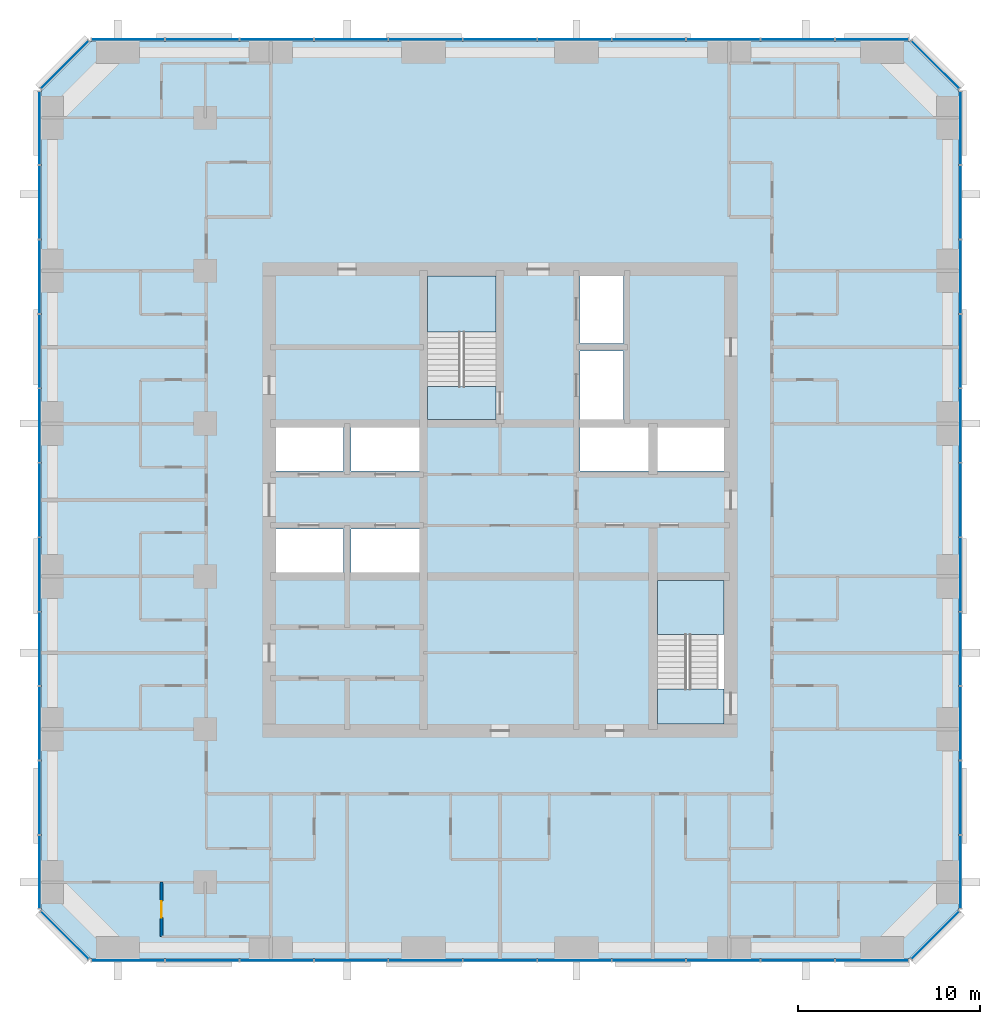
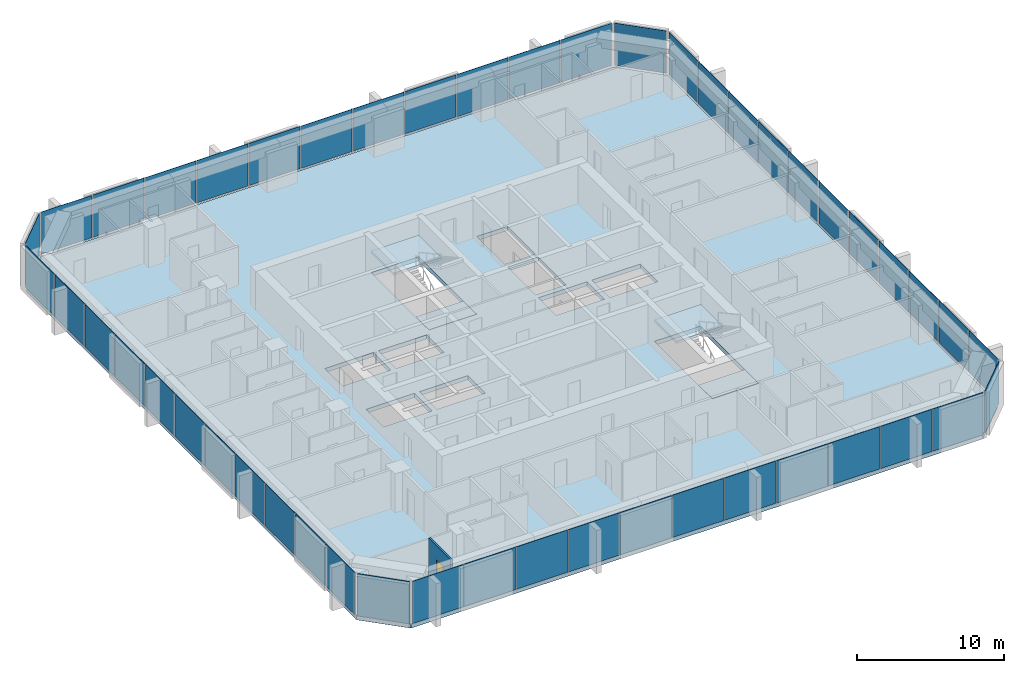
# One storey, part 7 of 13: 48 plates, 5 slabs, 1 door, 1 wall, 1 opening, 10 elements without a shape of their own.
"""IFC4 building model written with IfcOpenShell, lengths in metres."""

from ifc_helpers import new_model, si_unit, direction, frame, frame_2d, origin, origin_2d, place, context, subcontext, project, spatial, polyline, rectangle, outline, extrude, material, layer, layer_set, type_object, element, fill, aggregate, save


model = new_model("IFC4")

# Units and contexts
model_context = context("Model", 3, precision=1e-05, world=origin(), true_north=direction((0.0, 1.0)))
body_context = subcontext(model_context, "Body", "Model", "MODEL_VIEW")
ifc_project = project(units=[si_unit("LENGTHUNIT", "METRE"), si_unit("AREAUNIT", "SQUARE_METRE"), si_unit("VOLUMEUNIT", "CUBIC_METRE"), si_unit("PLANEANGLEUNIT", "RADIAN"), si_unit("MASSUNIT", "GRAM", prefix="KILO")], contexts=[model_context])

# Site, building, storey
site_placement = place(None, origin())
site = spatial("IfcSite", under=ifc_project, at=site_placement, CompositionType="ELEMENT")
building_placement = place(site_placement, origin())
building = spatial("IfcBuilding", under=site, at=building_placement, Name="Dunama Terrace Hotel", CompositionType="ELEMENT")
storey_placement = place(building_placement, frame((0.0, 0.0, 166.199951171875)))
storey = spatial("IfcBuildingStorey", under=building, at=storey_placement, Name="L42", CompositionType="ELEMENT", Elevation=166.199951171875)

# Curtain wall, plates
ifc_material_1 = material(Name="Aluminium curtain wall system", Category="aluminium")
curtain_wall_type = type_object("IfcCurtainWallType", Name="Unitised fritted glass wall CW-C", PredefinedType="NOTDEFINED", material=ifc_material_1)
curtain_wall_1_placement = place(storey_placement, origin())
curtain_wall_1 = element("IfcCurtainWall", 1, at=curtain_wall_1_placement, inside=storey, type_object=curtain_wall_type, Name="Unitised fritted glass wall CW-C L42", PredefinedType="NOTDEFINED")
ifc_material_2 = material(Name="Laminated glass", Category="glass")
ifc_layer_1 = layer(ifc_material_2, 0.031982421875)
ifc_layer_set_1 = layer_set([ifc_layer_1], Name="CWC clear glass panel")
plate_type_1 = type_object("IfcPlateType", Name="CWC clear glass panel", PredefinedType="CURTAIN_PANEL", material=ifc_layer_set_1)
plate_1_placement = place(storey_placement, frame((8.962890625, 4.10009765625, 0.080078125), z_axis=(0.0, 0.0, 1.0), x_axis=(1.0, 0.0, 0.0)))
plate_1 = element("IfcPlate", 2, at=plate_1_placement, type_object=plate_type_1, Name="CWC clear glass panel", PredefinedType="CURTAIN_PANEL", context=body_context, shape_type="SweptSolid", body=[
    extrude(rectangle(XDim=3.98583984375, YDim=0.031982421875, at=origin_2d()), origin(), (0.0, 0.0, 1.0), 3.52001953125),
])
plate_2_placement = place(storey_placement, frame((21.218017578125, 4.10009765625, 0.080078125), z_axis=(0.0, 0.0, 1.0), x_axis=(1.0, 0.0, 0.0)))
plate_2 = element("IfcPlate", 3, at=plate_2_placement, type_object=plate_type_1, Name="CWC clear glass panel", PredefinedType="CURTAIN_PANEL", context=body_context, shape_type="SweptSolid", body=[
    extrude(rectangle(XDim=4.02099609375, YDim=0.031982421875, at=origin_2d()), origin(), (0.0, 0.0, 1.0), 3.52001953125),
])
plate_3_placement = place(storey_placement, frame((33.490966796875, 4.10009765625, 0.080078125), z_axis=(0.0, 0.0, 1.0), x_axis=(1.0, 0.0, 0.0)))
plate_3 = element("IfcPlate", 4, at=plate_3_placement, type_object=plate_type_1, Name="CWC clear glass panel", PredefinedType="CURTAIN_PANEL", context=body_context, shape_type="SweptSolid", body=[
    extrude(rectangle(XDim=4.02099609375, YDim=0.031982421875, at=origin_2d()), origin(), (0.0, 0.0, 1.0), 3.52001953125),
])
plate_4_placement = place(storey_placement, frame((45.763916015625, 4.10009765625, 0.080078125), z_axis=(0.0, 0.0, 1.0), x_axis=(1.0, 0.0, 0.0)))
plate_4 = element("IfcPlate", 5, at=plate_4_placement, type_object=plate_type_1, Name="CWC clear glass panel", PredefinedType="CURTAIN_PANEL", context=body_context, shape_type="SweptSolid", body=[
    extrude(rectangle(XDim=4.02099609375, YDim=0.031982421875, at=origin_2d()), origin(), (0.0, 0.0, 1.0), 3.52001953125),
])

curtain_wall_2_placement = place(storey_placement, origin())
curtain_wall_2 = element("IfcCurtainWall", 6, at=curtain_wall_2_placement, inside=storey, type_object=curtain_wall_type, Name="Unitised fritted glass wall CW-C L42", PredefinedType="NOTDEFINED")
plate_5_placement = place(storey_placement, frame((54.699951171875, 8.962890625, 0.080078125), z_axis=(0.0, 0.0, 1.0), x_axis=(0.0, 1.0, 0.0)))
plate_5 = element("IfcPlate", 7, at=plate_5_placement, type_object=plate_type_1, Name="CWC clear glass panel", PredefinedType="CURTAIN_PANEL", context=body_context, shape_type="SweptSolid", body=[
    extrude(rectangle(XDim=3.98583984375, YDim=0.031982421875, at=origin_2d()), origin(), (0.0, 0.0, 1.0), 3.52001953125),
])
plate_6_placement = place(storey_placement, frame((54.699951171875, 21.218017578125, 0.080078125), z_axis=(0.0, 0.0, 1.0), x_axis=(0.0, 1.0, 0.0)))
plate_6 = element("IfcPlate", 8, at=plate_6_placement, type_object=plate_type_1, Name="CWC clear glass panel", PredefinedType="CURTAIN_PANEL", context=body_context, shape_type="SweptSolid", body=[
    extrude(rectangle(XDim=4.02099609375, YDim=0.031982421875, at=origin_2d()), origin(), (0.0, 0.0, 1.0), 3.52001953125),
])
plate_7_placement = place(storey_placement, frame((54.699951171875, 33.490966796875, 0.080078125), z_axis=(0.0, 0.0, 1.0), x_axis=(0.0, 1.0, 0.0)))
plate_7 = element("IfcPlate", 9, at=plate_7_placement, type_object=plate_type_1, Name="CWC clear glass panel", PredefinedType="CURTAIN_PANEL", context=body_context, shape_type="SweptSolid", body=[
    extrude(rectangle(XDim=4.02099609375, YDim=0.031982421875, at=origin_2d()), origin(), (0.0, 0.0, 1.0), 3.52001953125),
])
plate_8_placement = place(storey_placement, frame((54.699951171875, 45.763916015625, 0.080078125), z_axis=(0.0, 0.0, 1.0), x_axis=(0.0, 1.0, 0.0)))
plate_8 = element("IfcPlate", 10, at=plate_8_placement, type_object=plate_type_1, Name="CWC clear glass panel", PredefinedType="CURTAIN_PANEL", context=body_context, shape_type="SweptSolid", body=[
    extrude(rectangle(XDim=4.02099609375, YDim=0.031982421875, at=origin_2d()), origin(), (0.0, 0.0, 1.0), 3.52001953125),
])

curtain_wall_3_placement = place(storey_placement, origin())
curtain_wall_3 = element("IfcCurtainWall", 11, at=curtain_wall_3_placement, inside=storey, type_object=curtain_wall_type, Name="Unitised fritted glass wall CW-C L42", PredefinedType="NOTDEFINED")
plate_9_placement = place(storey_placement, frame((49.8369140625, 54.699951171875, 0.080078125), z_axis=(0.0, 0.0, 1.0), x_axis=(-1.0, 0.0, 0.0)))
plate_9 = element("IfcPlate", 12, at=plate_9_placement, type_object=plate_type_1, Name="CWC clear glass panel", PredefinedType="CURTAIN_PANEL", context=body_context, shape_type="SweptSolid", body=[
    extrude(rectangle(XDim=3.98583984375, YDim=0.031982421875, at=origin_2d()), origin(), (0.0, 0.0, 1.0), 3.52001953125),
])
plate_10_placement = place(storey_placement, frame((37.58203125, 54.699951171875, 0.080078125), z_axis=(0.0, 0.0, 1.0), x_axis=(-1.0, 0.0, 0.0)))
plate_10 = element("IfcPlate", 13, at=plate_10_placement, type_object=plate_type_1, Name="CWC clear glass panel", PredefinedType="CURTAIN_PANEL", context=body_context, shape_type="SweptSolid", body=[
    extrude(rectangle(XDim=4.02099609375, YDim=0.031982421875, at=origin_2d()), origin(), (0.0, 0.0, 1.0), 3.52001953125),
])
plate_11_placement = place(storey_placement, frame((25.30908203125, 54.699951171875, 0.080078125), z_axis=(0.0, 0.0, 1.0), x_axis=(-1.0, 0.0, 0.0)))
plate_11 = element("IfcPlate", 14, at=plate_11_placement, type_object=plate_type_1, Name="CWC clear glass panel", PredefinedType="CURTAIN_PANEL", context=body_context, shape_type="SweptSolid", body=[
    extrude(rectangle(XDim=4.02099609375, YDim=0.031982421875, at=origin_2d()), origin(), (0.0, 0.0, 1.0), 3.52001953125),
])
plate_12_placement = place(storey_placement, frame((13.035888671875, 54.699951171875, 0.080078125), z_axis=(0.0, 0.0, 1.0), x_axis=(-1.0, 0.0, 0.0)))
plate_12 = element("IfcPlate", 15, at=plate_12_placement, type_object=plate_type_1, Name="CWC clear glass panel", PredefinedType="CURTAIN_PANEL", context=body_context, shape_type="SweptSolid", body=[
    extrude(rectangle(XDim=4.02099609375, YDim=0.031982421875, at=origin_2d()), origin(), (0.0, 0.0, 1.0), 3.52001953125),
])

curtain_wall_4_placement = place(storey_placement, origin())
curtain_wall_4 = element("IfcCurtainWall", 16, at=curtain_wall_4_placement, inside=storey, type_object=curtain_wall_type, Name="Unitised fritted glass wall CW-C L42", PredefinedType="NOTDEFINED")
plate_13_placement = place(storey_placement, frame((4.10009765625, 49.8369140625, 0.080078125), z_axis=(0.0, 0.0, 1.0), x_axis=(0.0, -1.0, 0.0)))
plate_13 = element("IfcPlate", 17, at=plate_13_placement, type_object=plate_type_1, Name="CWC clear glass panel", PredefinedType="CURTAIN_PANEL", context=body_context, shape_type="SweptSolid", body=[
    extrude(rectangle(XDim=3.98583984375, YDim=0.031982421875, at=origin_2d()), origin(), (0.0, 0.0, 1.0), 3.52001953125),
])
plate_14_placement = place(storey_placement, frame((4.10009765625, 37.58203125, 0.080078125), z_axis=(0.0, 0.0, 1.0), x_axis=(0.0, -1.0, 0.0)))
plate_14 = element("IfcPlate", 18, at=plate_14_placement, type_object=plate_type_1, Name="CWC clear glass panel", PredefinedType="CURTAIN_PANEL", context=body_context, shape_type="SweptSolid", body=[
    extrude(rectangle(XDim=4.02099609375, YDim=0.031982421875, at=origin_2d()), origin(), (0.0, 0.0, 1.0), 3.52001953125),
])
plate_15_placement = place(storey_placement, frame((4.10009765625, 25.30908203125, 0.080078125), z_axis=(0.0, 0.0, 1.0), x_axis=(0.0, -1.0, 0.0)))
plate_15 = element("IfcPlate", 19, at=plate_15_placement, type_object=plate_type_1, Name="CWC clear glass panel", PredefinedType="CURTAIN_PANEL", context=body_context, shape_type="SweptSolid", body=[
    extrude(rectangle(XDim=4.02099609375, YDim=0.031982421875, at=origin_2d()), origin(), (0.0, 0.0, 1.0), 3.52001953125),
])
plate_16_placement = place(storey_placement, frame((4.10009765625, 13.035888671875, 0.080078125), z_axis=(0.0, 0.0, 1.0), x_axis=(0.0, -1.0, 0.0)))
plate_16 = element("IfcPlate", 20, at=plate_16_placement, type_object=plate_type_1, Name="CWC clear glass panel", PredefinedType="CURTAIN_PANEL", context=body_context, shape_type="SweptSolid", body=[
    extrude(rectangle(XDim=4.02099609375, YDim=0.031982421875, at=origin_2d()), origin(), (0.0, 0.0, 1.0), 3.52001953125),
])

# Plate
ifc_material_3 = material(Name="Fritted laminated glass", Category="glass")
ifc_layer_2 = layer(ifc_material_3, 0.031982421875)
ifc_layer_set_2 = layer_set([ifc_layer_2], Name="CWC fritted glass panel")
plate_type_2 = type_object("IfcPlateType", Name="CWC fritted glass panel", PredefinedType="CURTAIN_PANEL", material=ifc_layer_set_2)
plate_17_placement = place(storey_placement, frame((17.126953125, 4.10009765625, 0.080078125), z_axis=(0.0, 0.0, 1.0), x_axis=(1.0, 0.0, 0.0)))
plate_17 = element("IfcPlate", 21, at=plate_17_placement, type_object=plate_type_2, Name="CWC fritted glass panel", PredefinedType="CURTAIN_PANEL", context=body_context, shape_type="SweptSolid", body=[
    extrude(rectangle(XDim=4.02099609375, YDim=0.031982421875, at=origin_2d()), origin(), (0.0, 0.0, 1.0), 3.52001953125),
])

plate_18_placement = place(storey_placement, frame((29.39990234375, 4.10009765625, 0.080078125), z_axis=(0.0, 0.0, 1.0), x_axis=(1.0, 0.0, 0.0)))
plate_18 = element("IfcPlate", 22, at=plate_18_placement, type_object=plate_type_2, Name="CWC fritted glass panel", PredefinedType="CURTAIN_PANEL", context=body_context, shape_type="SweptSolid", body=[
    extrude(rectangle(XDim=4.02099609375, YDim=0.031982421875, at=origin_2d()), origin(), (0.0, 0.0, 1.0), 3.52001953125),
])

plate_19_placement = place(storey_placement, frame((41.673095703125, 4.10009765625, 0.080078125), z_axis=(0.0, 0.0, 1.0), x_axis=(1.0, 0.0, 0.0)))
plate_19 = element("IfcPlate", 23, at=plate_19_placement, type_object=plate_type_2, Name="CWC fritted glass panel", PredefinedType="CURTAIN_PANEL", context=body_context, shape_type="SweptSolid", body=[
    extrude(rectangle(XDim=4.02099609375, YDim=0.031982421875, at=origin_2d()), origin(), (0.0, 0.0, 1.0), 3.52001953125),
])

# Curtain wall, plate
curtain_wall_5_placement = place(storey_placement, origin())
curtain_wall_5 = element("IfcCurtainWall", 24, at=curtain_wall_5_placement, inside=storey, type_object=curtain_wall_type, Name="Unitised fritted glass wall CW-C L42", PredefinedType="NOTDEFINED")
plate_20_placement = place(storey_placement, frame((53.321044921875, 5.47900390625, 0.080078125), z_axis=(0.0, 0.0, 1.0), x_axis=(0.707106781187, 0.707106781187, 0.0)))
plate_20 = element("IfcPlate", 25, at=plate_20_placement, type_object=plate_type_2, Name="CWC fritted glass panel", PredefinedType="CURTAIN_PANEL", context=body_context, shape_type="SweptSolid", body=[
    extrude(rectangle(XDim=3.678466796875, YDim=0.031982421875, at=origin_2d()), origin(), (0.0, 0.0, 1.0), 3.52001953125),
])
aggregate(curtain_wall_5, [plate_20])

# Plate
plate_21_placement = place(storey_placement, frame((54.699951171875, 17.126953125, 0.080078125), z_axis=(0.0, 0.0, 1.0), x_axis=(0.0, 1.0, 0.0)))
plate_21 = element("IfcPlate", 26, at=plate_21_placement, type_object=plate_type_2, Name="CWC fritted glass panel", PredefinedType="CURTAIN_PANEL", context=body_context, shape_type="SweptSolid", body=[
    extrude(rectangle(XDim=4.02099609375, YDim=0.031982421875, at=origin_2d()), origin(), (0.0, 0.0, 1.0), 3.52001953125),
])

plate_22_placement = place(storey_placement, frame((54.699951171875, 29.39990234375, 0.080078125), z_axis=(0.0, 0.0, 1.0), x_axis=(0.0, 1.0, 0.0)))
plate_22 = element("IfcPlate", 27, at=plate_22_placement, type_object=plate_type_2, Name="CWC fritted glass panel", PredefinedType="CURTAIN_PANEL", context=body_context, shape_type="SweptSolid", body=[
    extrude(rectangle(XDim=4.02099609375, YDim=0.031982421875, at=origin_2d()), origin(), (0.0, 0.0, 1.0), 3.52001953125),
])

plate_23_placement = place(storey_placement, frame((54.699951171875, 41.673095703125, 0.080078125), z_axis=(0.0, 0.0, 1.0), x_axis=(0.0, 1.0, 0.0)))
plate_23 = element("IfcPlate", 28, at=plate_23_placement, type_object=plate_type_2, Name="CWC fritted glass panel", PredefinedType="CURTAIN_PANEL", context=body_context, shape_type="SweptSolid", body=[
    extrude(rectangle(XDim=4.02099609375, YDim=0.031982421875, at=origin_2d()), origin(), (0.0, 0.0, 1.0), 3.52001953125),
])

# Curtain wall, plate
curtain_wall_6_placement = place(storey_placement, origin())
curtain_wall_6 = element("IfcCurtainWall", 29, at=curtain_wall_6_placement, inside=storey, type_object=curtain_wall_type, Name="Unitised fritted glass wall CW-C L42", PredefinedType="NOTDEFINED")
plate_24_placement = place(storey_placement, frame((53.321044921875, 53.321044921875, 0.080078125), z_axis=(0.0, 0.0, 1.0), x_axis=(-0.707106781187, 0.707106781187, 0.0)))
plate_24 = element("IfcPlate", 30, at=plate_24_placement, type_object=plate_type_2, Name="CWC fritted glass panel", PredefinedType="CURTAIN_PANEL", context=body_context, shape_type="SweptSolid", body=[
    extrude(rectangle(XDim=3.678466796875, YDim=0.031982421875, at=origin_2d()), origin(), (0.0, 0.0, 1.0), 3.52001953125),
])
aggregate(curtain_wall_6, [plate_24])

# Plate
plate_25_placement = place(storey_placement, frame((41.673095703125, 54.699951171875, 0.080078125), z_axis=(0.0, 0.0, 1.0), x_axis=(-1.0, 0.0, 0.0)))
plate_25 = element("IfcPlate", 31, at=plate_25_placement, type_object=plate_type_2, Name="CWC fritted glass panel", PredefinedType="CURTAIN_PANEL", context=body_context, shape_type="SweptSolid", body=[
    extrude(rectangle(XDim=4.02099609375, YDim=0.031982421875, at=origin_2d()), origin(), (0.0, 0.0, 1.0), 3.52001953125),
])

plate_26_placement = place(storey_placement, frame((29.39990234375, 54.699951171875, 0.080078125), z_axis=(0.0, 0.0, 1.0), x_axis=(-1.0, 0.0, 0.0)))
plate_26 = element("IfcPlate", 32, at=plate_26_placement, type_object=plate_type_2, Name="CWC fritted glass panel", PredefinedType="CURTAIN_PANEL", context=body_context, shape_type="SweptSolid", body=[
    extrude(rectangle(XDim=4.02099609375, YDim=0.031982421875, at=origin_2d()), origin(), (0.0, 0.0, 1.0), 3.52001953125),
])

plate_27_placement = place(storey_placement, frame((17.126953125, 54.699951171875, 0.080078125), z_axis=(0.0, 0.0, 1.0), x_axis=(-1.0, 0.0, 0.0)))
plate_27 = element("IfcPlate", 33, at=plate_27_placement, type_object=plate_type_2, Name="CWC fritted glass panel", PredefinedType="CURTAIN_PANEL", context=body_context, shape_type="SweptSolid", body=[
    extrude(rectangle(XDim=4.02099609375, YDim=0.031982421875, at=origin_2d()), origin(), (0.0, 0.0, 1.0), 3.52001953125),
])

# Curtain wall, plate
curtain_wall_7_placement = place(storey_placement, origin())
curtain_wall_7 = element("IfcCurtainWall", 34, at=curtain_wall_7_placement, inside=storey, type_object=curtain_wall_type, Name="Unitised fritted glass wall CW-C L42", PredefinedType="NOTDEFINED")
plate_28_placement = place(storey_placement, frame((5.47900390625, 53.321044921875, 0.080078125), z_axis=(0.0, 0.0, 1.0), x_axis=(-0.707106781187, -0.707106781187, 0.0)))
plate_28 = element("IfcPlate", 35, at=plate_28_placement, type_object=plate_type_2, Name="CWC fritted glass panel", PredefinedType="CURTAIN_PANEL", context=body_context, shape_type="SweptSolid", body=[
    extrude(rectangle(XDim=3.678466796875, YDim=0.031982421875, at=origin_2d()), origin(), (0.0, 0.0, 1.0), 3.52001953125),
])
aggregate(curtain_wall_7, [plate_28])

# Plate
plate_29_placement = place(storey_placement, frame((4.10009765625, 41.673095703125, 0.080078125), z_axis=(0.0, 0.0, 1.0), x_axis=(0.0, -1.0, 0.0)))
plate_29 = element("IfcPlate", 36, at=plate_29_placement, type_object=plate_type_2, Name="CWC fritted glass panel", PredefinedType="CURTAIN_PANEL", context=body_context, shape_type="SweptSolid", body=[
    extrude(rectangle(XDim=4.02099609375, YDim=0.031982421875, at=origin_2d()), origin(), (0.0, 0.0, 1.0), 3.52001953125),
])

plate_30_placement = place(storey_placement, frame((4.10009765625, 29.39990234375, 0.080078125), z_axis=(0.0, 0.0, 1.0), x_axis=(0.0, -1.0, 0.0)))
plate_30 = element("IfcPlate", 37, at=plate_30_placement, type_object=plate_type_2, Name="CWC fritted glass panel", PredefinedType="CURTAIN_PANEL", context=body_context, shape_type="SweptSolid", body=[
    extrude(rectangle(XDim=4.02099609375, YDim=0.031982421875, at=origin_2d()), origin(), (0.0, 0.0, 1.0), 3.52001953125),
])

plate_31_placement = place(storey_placement, frame((4.10009765625, 17.126953125, 0.080078125), z_axis=(0.0, 0.0, 1.0), x_axis=(0.0, -1.0, 0.0)))
plate_31 = element("IfcPlate", 38, at=plate_31_placement, type_object=plate_type_2, Name="CWC fritted glass panel", PredefinedType="CURTAIN_PANEL", context=body_context, shape_type="SweptSolid", body=[
    extrude(rectangle(XDim=4.02099609375, YDim=0.031982421875, at=origin_2d()), origin(), (0.0, 0.0, 1.0), 3.52001953125),
])

# Curtain wall, plate
curtain_wall_8_placement = place(storey_placement, origin())
curtain_wall_8 = element("IfcCurtainWall", 39, at=curtain_wall_8_placement, inside=storey, type_object=curtain_wall_type, Name="Unitised fritted glass wall CW-C L42", PredefinedType="NOTDEFINED")
plate_32_placement = place(storey_placement, frame((5.47900390625, 5.47900390625, 0.080078125), z_axis=(0.0, 0.0, 1.0), x_axis=(0.707106781187, -0.707106781187, 0.0)))
plate_32 = element("IfcPlate", 40, at=plate_32_placement, type_object=plate_type_2, Name="CWC fritted glass panel", PredefinedType="CURTAIN_PANEL", context=body_context, shape_type="SweptSolid", body=[
    extrude(rectangle(XDim=3.678466796875, YDim=0.031982421875, at=origin_2d()), origin(), (0.0, 0.0, 1.0), 3.52001953125),
])
aggregate(curtain_wall_8, [plate_32])

# Plate
ifc_material_4 = material(Name="Laminated glass", Category="glass")
ifc_layer_3 = layer(ifc_material_4, 0.031982421875)
ifc_layer_set_3 = layer_set([ifc_layer_3], Name="CWC operable glass panel")
plate_type_3 = type_object("IfcPlateType", Name="CWC operable glass panel", PredefinedType="CURTAIN_PANEL", material=ifc_layer_set_3)
plate_33_placement = place(storey_placement, frame((13.035888671875, 4.10009765625, 0.080078125), z_axis=(0.0, 0.0, 1.0), x_axis=(1.0, 0.0, 0.0)))
plate_33 = element("IfcPlate", 41, at=plate_33_placement, type_object=plate_type_3, Name="CWC operable glass panel", PredefinedType="CURTAIN_PANEL", context=body_context, shape_type="SweptSolid", body=[
    extrude(rectangle(XDim=4.02099609375, YDim=0.031982421875, at=origin_2d()), origin(), (0.0, 0.0, 1.0), 3.52001953125),
])

plate_34_placement = place(storey_placement, frame((25.30908203125, 4.10009765625, 0.080078125), z_axis=(0.0, 0.0, 1.0), x_axis=(1.0, 0.0, 0.0)))
plate_34 = element("IfcPlate", 42, at=plate_34_placement, type_object=plate_type_3, Name="CWC operable glass panel", PredefinedType="CURTAIN_PANEL", context=body_context, shape_type="SweptSolid", body=[
    extrude(rectangle(XDim=4.02099609375, YDim=0.031982421875, at=origin_2d()), origin(), (0.0, 0.0, 1.0), 3.52001953125),
])

plate_35_placement = place(storey_placement, frame((37.58203125, 4.10009765625, 0.080078125), z_axis=(0.0, 0.0, 1.0), x_axis=(1.0, 0.0, 0.0)))
plate_35 = element("IfcPlate", 43, at=plate_35_placement, type_object=plate_type_3, Name="CWC operable glass panel", PredefinedType="CURTAIN_PANEL", context=body_context, shape_type="SweptSolid", body=[
    extrude(rectangle(XDim=4.02099609375, YDim=0.031982421875, at=origin_2d()), origin(), (0.0, 0.0, 1.0), 3.52001953125),
])

plate_36_placement = place(storey_placement, frame((49.8369140625, 4.10009765625, 0.080078125), z_axis=(0.0, 0.0, 1.0), x_axis=(1.0, 0.0, 0.0)))
plate_36 = element("IfcPlate", 44, at=plate_36_placement, type_object=plate_type_3, Name="CWC operable glass panel", PredefinedType="CURTAIN_PANEL", context=body_context, shape_type="SweptSolid", body=[
    extrude(rectangle(XDim=3.98583984375, YDim=0.031982421875, at=origin_2d()), origin(), (0.0, 0.0, 1.0), 3.52001953125),
])

aggregate(curtain_wall_1, [plate_1, plate_33, plate_17, plate_2, plate_34, plate_18, plate_3, plate_35, plate_19, plate_4, plate_36])

plate_37_placement = place(storey_placement, frame((54.699951171875, 13.035888671875, 0.080078125), z_axis=(0.0, 0.0, 1.0), x_axis=(0.0, 1.0, 0.0)))
plate_37 = element("IfcPlate", 45, at=plate_37_placement, type_object=plate_type_3, Name="CWC operable glass panel", PredefinedType="CURTAIN_PANEL", context=body_context, shape_type="SweptSolid", body=[
    extrude(rectangle(XDim=4.02099609375, YDim=0.031982421875, at=origin_2d()), origin(), (0.0, 0.0, 1.0), 3.52001953125),
])

plate_38_placement = place(storey_placement, frame((54.699951171875, 25.30908203125, 0.080078125), z_axis=(0.0, 0.0, 1.0), x_axis=(0.0, 1.0, 0.0)))
plate_38 = element("IfcPlate", 46, at=plate_38_placement, type_object=plate_type_3, Name="CWC operable glass panel", PredefinedType="CURTAIN_PANEL", context=body_context, shape_type="SweptSolid", body=[
    extrude(rectangle(XDim=4.02099609375, YDim=0.031982421875, at=origin_2d()), origin(), (0.0, 0.0, 1.0), 3.52001953125),
])

plate_39_placement = place(storey_placement, frame((54.699951171875, 37.58203125, 0.080078125), z_axis=(0.0, 0.0, 1.0), x_axis=(0.0, 1.0, 0.0)))
plate_39 = element("IfcPlate", 47, at=plate_39_placement, type_object=plate_type_3, Name="CWC operable glass panel", PredefinedType="CURTAIN_PANEL", context=body_context, shape_type="SweptSolid", body=[
    extrude(rectangle(XDim=4.02099609375, YDim=0.031982421875, at=origin_2d()), origin(), (0.0, 0.0, 1.0), 3.52001953125),
])

plate_40_placement = place(storey_placement, frame((54.699951171875, 49.8369140625, 0.080078125), z_axis=(0.0, 0.0, 1.0), x_axis=(0.0, 1.0, 0.0)))
plate_40 = element("IfcPlate", 48, at=plate_40_placement, type_object=plate_type_3, Name="CWC operable glass panel", PredefinedType="CURTAIN_PANEL", context=body_context, shape_type="SweptSolid", body=[
    extrude(rectangle(XDim=3.98583984375, YDim=0.031982421875, at=origin_2d()), origin(), (0.0, 0.0, 1.0), 3.52001953125),
])

aggregate(curtain_wall_2, [plate_5, plate_37, plate_21, plate_6, plate_38, plate_22, plate_7, plate_39, plate_23, plate_8, plate_40])

plate_41_placement = place(storey_placement, frame((45.763916015625, 54.699951171875, 0.080078125), z_axis=(0.0, 0.0, 1.0), x_axis=(-1.0, 0.0, 0.0)))
plate_41 = element("IfcPlate", 49, at=plate_41_placement, type_object=plate_type_3, Name="CWC operable glass panel", PredefinedType="CURTAIN_PANEL", context=body_context, shape_type="SweptSolid", body=[
    extrude(rectangle(XDim=4.02099609375, YDim=0.031982421875, at=origin_2d()), origin(), (0.0, 0.0, 1.0), 3.52001953125),
])

plate_42_placement = place(storey_placement, frame((33.490966796875, 54.699951171875, 0.080078125), z_axis=(0.0, 0.0, 1.0), x_axis=(-1.0, 0.0, 0.0)))
plate_42 = element("IfcPlate", 50, at=plate_42_placement, type_object=plate_type_3, Name="CWC operable glass panel", PredefinedType="CURTAIN_PANEL", context=body_context, shape_type="SweptSolid", body=[
    extrude(rectangle(XDim=4.02099609375, YDim=0.031982421875, at=origin_2d()), origin(), (0.0, 0.0, 1.0), 3.52001953125),
])

plate_43_placement = place(storey_placement, frame((21.218017578125, 54.699951171875, 0.080078125), z_axis=(0.0, 0.0, 1.0), x_axis=(-1.0, 0.0, 0.0)))
plate_43 = element("IfcPlate", 51, at=plate_43_placement, type_object=plate_type_3, Name="CWC operable glass panel", PredefinedType="CURTAIN_PANEL", context=body_context, shape_type="SweptSolid", body=[
    extrude(rectangle(XDim=4.02099609375, YDim=0.031982421875, at=origin_2d()), origin(), (0.0, 0.0, 1.0), 3.52001953125),
])

plate_44_placement = place(storey_placement, frame((8.962890625, 54.699951171875, 0.080078125), z_axis=(0.0, 0.0, 1.0), x_axis=(-1.0, 0.0, 0.0)))
plate_44 = element("IfcPlate", 52, at=plate_44_placement, type_object=plate_type_3, Name="CWC operable glass panel", PredefinedType="CURTAIN_PANEL", context=body_context, shape_type="SweptSolid", body=[
    extrude(rectangle(XDim=3.98583984375, YDim=0.031982421875, at=origin_2d()), origin(), (0.0, 0.0, 1.0), 3.52001953125),
])

aggregate(curtain_wall_3, [plate_9, plate_41, plate_25, plate_10, plate_42, plate_26, plate_11, plate_43, plate_27, plate_12, plate_44])

plate_45_placement = place(storey_placement, frame((4.10009765625, 45.763916015625, 0.080078125), z_axis=(0.0, 0.0, 1.0), x_axis=(0.0, -1.0, 0.0)))
plate_45 = element("IfcPlate", 53, at=plate_45_placement, type_object=plate_type_3, Name="CWC operable glass panel", PredefinedType="CURTAIN_PANEL", context=body_context, shape_type="SweptSolid", body=[
    extrude(rectangle(XDim=4.02099609375, YDim=0.031982421875, at=origin_2d()), origin(), (0.0, 0.0, 1.0), 3.52001953125),
])

plate_46_placement = place(storey_placement, frame((4.10009765625, 33.490966796875, 0.080078125), z_axis=(0.0, 0.0, 1.0), x_axis=(0.0, -1.0, 0.0)))
plate_46 = element("IfcPlate", 54, at=plate_46_placement, type_object=plate_type_3, Name="CWC operable glass panel", PredefinedType="CURTAIN_PANEL", context=body_context, shape_type="SweptSolid", body=[
    extrude(rectangle(XDim=4.02099609375, YDim=0.031982421875, at=origin_2d()), origin(), (0.0, 0.0, 1.0), 3.52001953125),
])

plate_47_placement = place(storey_placement, frame((4.10009765625, 21.218017578125, 0.080078125), z_axis=(0.0, 0.0, 1.0), x_axis=(0.0, -1.0, 0.0)))
plate_47 = element("IfcPlate", 55, at=plate_47_placement, type_object=plate_type_3, Name="CWC operable glass panel", PredefinedType="CURTAIN_PANEL", context=body_context, shape_type="SweptSolid", body=[
    extrude(rectangle(XDim=4.02099609375, YDim=0.031982421875, at=origin_2d()), origin(), (0.0, 0.0, 1.0), 3.52001953125),
])

plate_48_placement = place(storey_placement, frame((4.10009765625, 8.962890625, 0.080078125), z_axis=(0.0, 0.0, 1.0), x_axis=(0.0, -1.0, 0.0)))
plate_48 = element("IfcPlate", 56, at=plate_48_placement, type_object=plate_type_3, Name="CWC operable glass panel", PredefinedType="CURTAIN_PANEL", context=body_context, shape_type="SweptSolid", body=[
    extrude(rectangle(XDim=3.98583984375, YDim=0.031982421875, at=origin_2d()), origin(), (0.0, 0.0, 1.0), 3.52001953125),
])

aggregate(curtain_wall_4, [plate_13, plate_45, plate_29, plate_14, plate_46, plate_30, plate_15, plate_47, plate_31, plate_16, plate_48])

# Slab
ifc_material_5 = material(Name="Concrete C40/50", Category="concrete")
ifc_layer_4 = layer(ifc_material_5, 0.35009765625)
ifc_layer_set_4 = layer_set([ifc_layer_4], Name="Flat plate 350")
slab_type_1 = type_object("IfcSlabType", Name="Flat plate 350", PredefinedType="FLOOR", material=ifc_layer_set_4)
slab_1_placement = place(storey_placement, frame((0.0, 0.0, -0.349853515625)))
element("IfcSlab", 57, at=slab_1_placement, inside=storey, type_object=slab_type_1, Name="Floor slab L42", PredefinedType="FLOOR", context=body_context, shape_type="SweptSolid", body=[
    extrude(outline(polyline([(6.89990234375, 4.199951171875), (51.89990234375, 4.199951171875), (54.60009765625, 6.89990234375), (54.60009765625, 51.89990234375), (51.89990234375, 54.60009765625), (6.89990234375, 54.60009765625), (4.199951171875, 51.89990234375), (4.199951171875, 6.89990234375), (6.89990234375, 4.199951171875)]), holes=[polyline([(20.800048828125, 25.39990234375), (20.800048828125, 27.800048828125), (17.0, 27.800048828125), (17.0, 25.39990234375), (20.800048828125, 25.39990234375)]), polyline([(25.0, 25.39990234375), (25.0, 27.800048828125), (21.199951171875, 27.800048828125), (21.199951171875, 25.39990234375), (25.0, 25.39990234375)]), polyline([(20.800048828125, 31.0), (20.800048828125, 33.39990234375), (17.0, 33.39990234375), (17.0, 31.0), (20.800048828125, 31.0)]), polyline([(25.0, 31.0), (25.0, 33.39990234375), (21.199951171875, 33.39990234375), (21.199951171875, 31.0), (25.0, 31.0)]), polyline([(37.60009765625, 31.0), (37.60009765625, 33.39990234375), (33.800048828125, 33.39990234375), (33.800048828125, 31.0), (37.60009765625, 31.0)]), polyline([(41.800048828125, 31.0), (41.800048828125, 33.39990234375), (38.0, 33.39990234375), (38.0, 31.0), (41.800048828125, 31.0)]), polyline([(36.199951171875, 38.0), (36.199951171875, 41.800048828125), (33.800048828125, 41.800048828125), (33.800048828125, 38.0), (36.199951171875, 38.0)]), polyline([(36.199951171875, 33.800048828125), (36.199951171875, 37.60009765625), (33.800048828125, 37.60009765625), (33.800048828125, 33.800048828125), (36.199951171875, 33.800048828125)]), polyline([(29.175048828125, 33.824951171875), (29.175048828125, 41.699951171875), (25.425048828125, 41.699951171875), (25.425048828125, 33.824951171875), (29.175048828125, 33.824951171875)]), polyline([(41.699951171875, 17.10009765625), (41.699951171875, 24.97509765625), (38.050048828125, 24.97509765625), (38.050048828125, 17.10009765625), (41.699951171875, 17.10009765625)])]), origin(), (0.0, 0.0, 1.0), 0.349853515625),
])

# Stair, slabs
ifc_material_6 = material(Name="Concrete C40/50", Category="concrete")
stair_type_1 = type_object("IfcStairType", Name="Stair ST1-3600-1800", PredefinedType="HALF_TURN_STAIR", material=ifc_material_6)
stair_1_placement = place(storey_placement, origin())
stair_1 = element("IfcStair", 58, at=stair_1_placement, inside=storey, type_object=stair_type_1, Name="Stair ST1 L42", PredefinedType="HALF_TURN_STAIR")
ifc_material_7 = material(Name="Concrete C40/50", Category="concrete")
ifc_layer_5 = layer(ifc_material_7, 0.199951171875)
ifc_layer_set_5 = layer_set([ifc_layer_5], Name="Stair landing 200")
slab_type_2 = type_object("IfcSlabType", Name="Stair landing 200", PredefinedType="LANDING", material=ifc_layer_set_5)
slab_2_placement = place(storey_placement, frame((0.0, 0.0, -0.199951171875)))
slab_2 = element("IfcSlab", 59, at=slab_2_placement, type_object=slab_type_2, Name="ST1 landing 1, type S10", PredefinedType="LANDING", context=body_context, shape_type="SweptSolid", body=[
    extrude(outline(polyline([(25.425048828125, 33.824951171875), (29.175048828125, 33.824951171875), (29.175048828125, 35.625), (25.425048828125, 35.625), (25.425048828125, 33.824951171875)])), origin(), (0.0, 0.0, 1.0), 0.199951171875),
])
slab_3_placement = place(storey_placement, frame((0.0, 0.0, 1.60009765625)))
slab_3 = element("IfcSlab", 60, at=slab_3_placement, type_object=slab_type_2, Name="ST1 landing 2, type S10", PredefinedType="LANDING", context=body_context, shape_type="SweptSolid", body=[
    extrude(outline(polyline([(25.425048828125, 38.625), (29.175048828125, 38.625), (29.175048828125, 41.699951171875), (25.425048828125, 41.699951171875), (25.425048828125, 38.625)])), origin(), (0.0, 0.0, 1.0), 0.199951171875),
])
aggregate(stair_1, [slab_2, slab_3])

ifc_material_8 = material(Name="Concrete C40/50", Category="concrete")
stair_type_2 = type_object("IfcStairType", Name="Stair ST2-3600-1600", PredefinedType="HALF_TURN_STAIR", material=ifc_material_8)
stair_2_placement = place(storey_placement, origin())
stair_2 = element("IfcStair", 61, at=stair_2_placement, inside=storey, type_object=stair_type_2, Name="Stair ST2 L42", PredefinedType="HALF_TURN_STAIR")
slab_4_placement = place(storey_placement, frame((0.0, 0.0, -0.199951171875)))
slab_4 = element("IfcSlab", 62, at=slab_4_placement, type_object=slab_type_2, Name="ST2 landing 1, type S10", PredefinedType="LANDING", context=body_context, shape_type="SweptSolid", body=[
    extrude(outline(polyline([(38.050048828125, 17.10009765625), (41.699951171875, 17.10009765625), (41.699951171875, 19.0), (38.050048828125, 19.0), (38.050048828125, 17.10009765625)])), origin(), (0.0, 0.0, 1.0), 0.199951171875),
])
slab_5_placement = place(storey_placement, frame((0.0, 0.0, 1.60009765625)))
slab_5 = element("IfcSlab", 63, at=slab_5_placement, type_object=slab_type_2, Name="ST2 landing 2, type S10", PredefinedType="LANDING", context=body_context, shape_type="SweptSolid", body=[
    extrude(outline(polyline([(38.050048828125, 22.0), (41.699951171875, 22.0), (41.699951171875, 24.97509765625), (38.050048828125, 24.97509765625), (38.050048828125, 22.0)])), origin(), (0.0, 0.0, 1.0), 0.199951171875),
])
aggregate(stair_2, [slab_4, slab_5])

# Wall, opening, door
ifc_material_9 = material(Name="Gypsum board partition", Category="masonry")
ifc_layer_6 = layer(ifc_material_9, 0.14990234375)
ifc_layer_set_6 = layer_set([ifc_layer_6], Name="Room partition 150")
wall_type = type_object("IfcWallType", Name="Room partition 150", PredefinedType="PARTITIONING", material=ifc_layer_set_6)
wall_placement = place(storey_placement, frame((10.800048828125, 5.39990234375, 0.0), z_axis=(0.0, 0.0, 1.0), x_axis=(0.0, 1.0, 0.0)))
wall = element("IfcWall", 64, at=wall_placement, inside=storey, type_object=wall_type, Name="Room partition 150 L42", PredefinedType="PARTITIONING", context=body_context, shape_type="SweptSolid", body=[
    extrude(rectangle(XDim=3.0, YDim=0.14990234375, at=frame_2d((1.5, 0.0))), origin(), (0.0, 0.0, 1.0), 3.25),
])
opening_placement = place(wall_placement, frame((1.050048828125, 0.0, 0.0)))
opening = element("IfcOpeningElement", 65, at=opening_placement, cuts=wall, Name="Opening L42-44-042", PredefinedType="OPENING", context=body_context, shape_type="SweptSolid", body=[
    extrude(rectangle(XDim=0.89990234375, YDim=2.10009765625, at=frame_2d((0.449951171875, 1.050048828125))), frame((0.0, 0.0849609375, 0.0), z_axis=(0.0, -1.0, 0.0), x_axis=(1.0, 0.0, 0.0)), (0.0, 0.0, 1.0), 0.169921875),
])
ifc_material_10 = material(Name="Timber door with steel frame", Category="steel")
door_type = type_object("IfcDoorType", Name="Suite internal door 900", OperationType="SINGLE_SWING_LEFT", PredefinedType="DOOR", material=ifc_material_10)
door_placement = place(opening_placement, frame((0.89990234375, 0.0, 0.0), z_axis=(0.0, 0.0, 1.0), x_axis=(-1.0, 0.0, 0.0)))
door = element("IfcDoor", 66, at=door_placement, inside=storey, type_object=door_type, Name="Door to dressing room L42-44-042, type D16", OperationType="SINGLE_SWING_LEFT", OverallHeight=2.10009765625, OverallWidth=0.89990234375, PredefinedType="DOOR", context=body_context, shape_type="SweptSolid", body=[
    extrude(rectangle(XDim=0.89990234375, YDim=2.10009765625, at=frame_2d((0.449951171875, 1.050048828125))), frame((0.0, 0.025146484375, 0.0), z_axis=(0.0, -1.0, 0.0), x_axis=(1.0, 0.0, 0.0)), (0.0, 0.0, 1.0), 0.050048828125),
])
fill(opening, door)

save(model, "model.ifc")
